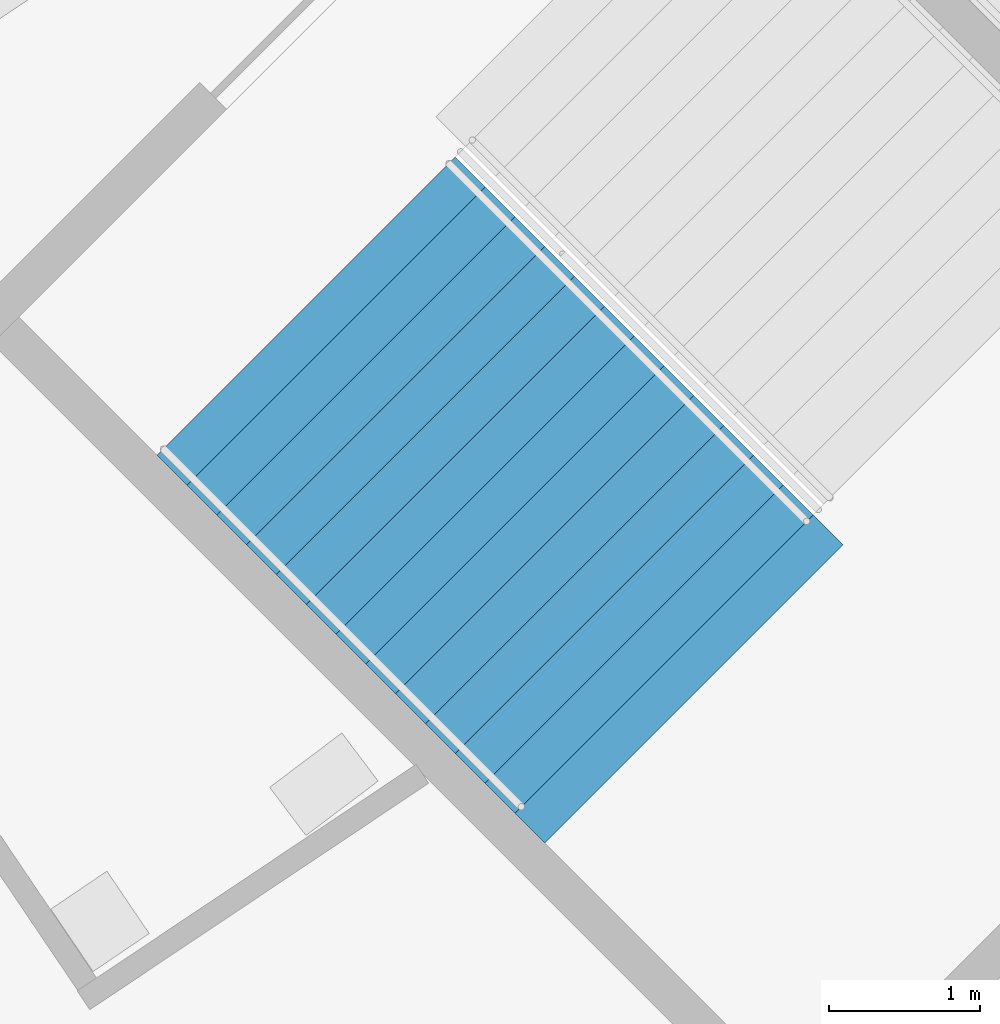
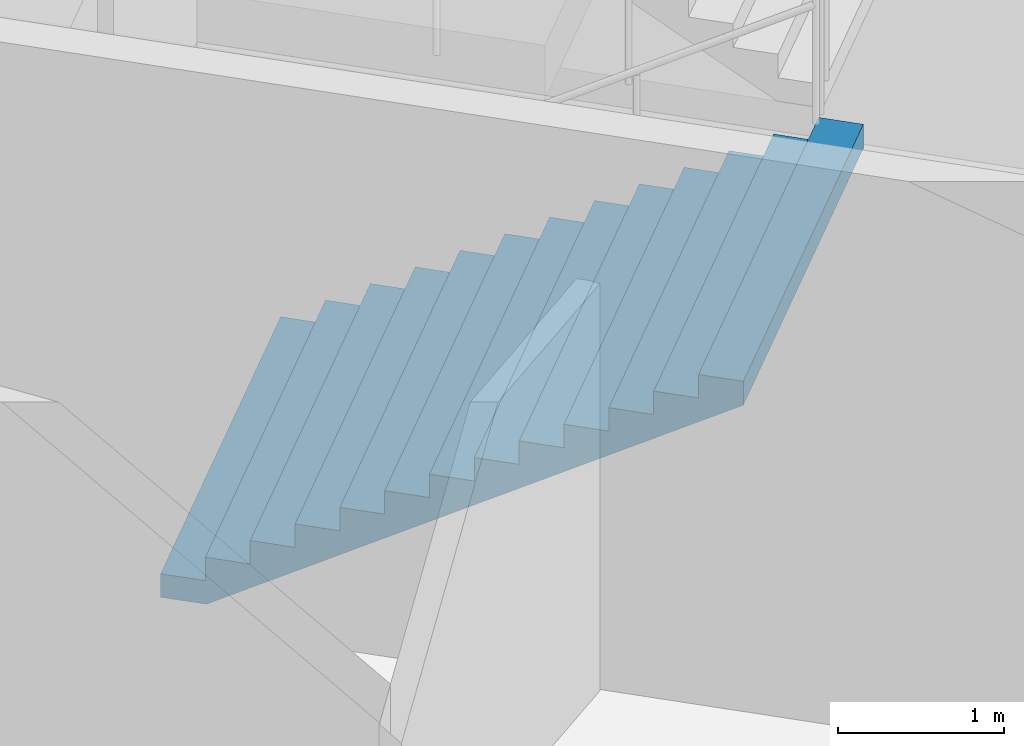
# One storey, part 115 of 177: 1 stair flight, 1 element without a shape of its own.
"""IFC4 building model written with IfcOpenShell, lengths in metres."""

from ifc_helpers import new_model, si_unit, direction, frame, origin, place, context, subcontext, project, spatial, faceted_brep, material, type_object, element, aggregate, save


model = new_model("IFC4")

# Units and contexts
model_context = context("Model", 3, precision=1e-05, world=origin(), true_north=direction((0.0, 1.0)))
body_context = subcontext(model_context, "Body", "Model", "MODEL_VIEW")
ifc_project = project(units=[si_unit("LENGTHUNIT", "METRE"), si_unit("AREAUNIT", "SQUARE_METRE"), si_unit("VOLUMEUNIT", "CUBIC_METRE"), si_unit("PLANEANGLEUNIT", "RADIAN"), si_unit("MASSUNIT", "GRAM", prefix="KILO")], contexts=[model_context])

# Site, building, storey
site_placement = place(None, origin())
site = spatial("IfcSite", under=ifc_project, at=site_placement, CompositionType="ELEMENT")
building_placement = place(site_placement, origin())
building = spatial("IfcBuilding", under=site, at=building_placement, Name="Ogive Plaza Stadium", CompositionType="ELEMENT")
storey_placement = place(building_placement, frame((0.0, 0.0, 18.0)))
storey = spatial("IfcBuildingStorey", under=building, at=storey_placement, Name="L04", CompositionType="ELEMENT", Elevation=18.0)

# Stair, stair flight
ifc_material_1 = material(Name="Concrete C40/50", Category="concrete")
stair_type = type_object("IfcStairType", Name="Exit stair", PredefinedType="STRAIGHT_RUN_STAIR", material=ifc_material_1)
stair_placement = place(storey_placement, origin())
stair = element("IfcStair", 1, at=stair_placement, inside=storey, type_object=stair_type, Name="Exit stair ST10A L04 to L05", PredefinedType="STRAIGHT_RUN_STAIR")
ifc_material_2 = material(Name="Concrete C40/50", Category="concrete")
stair_flight_type = type_object("IfcStairFlightType", Name="Exit stair flight", PredefinedType="STRAIGHT", material=ifc_material_2)
stair_flight_placement = place(storey_placement, frame((60.817138671875, -85.574951171875, 0.0), z_axis=(0.0, 0.0, 1.0), x_axis=(0.707106781187, -0.707106781187, 0.0)))
stair_flight = element("IfcStairFlight", 2, at=stair_flight_placement, type_object=stair_flight_type, Name="ST10A flight 1", NumberOfRisers=13, NumberOfTreads=12, PredefinedType="STRAIGHT", RiserHeight=0.173076923, TreadLength=0.28, context=body_context, shape_type="Brep", body=[
    faceted_brep([(0.28515625, -1.39990234375, 0.0), (3.639892578125, -1.39990234375, 2.07373046875), (3.639892578125, -1.39990234375, 2.25), (3.360107421875, -1.39990234375, 2.25), (3.360107421875, -1.39990234375, 2.076904296875), (3.080078125, -1.39990234375, 2.076904296875), (3.080078125, -1.39990234375, 1.90380859375), (2.800048828125, -1.39990234375, 1.90380859375), (2.800048828125, -1.39990234375, 1.730712890625), (2.52001953125, -1.39990234375, 1.730712890625), (2.52001953125, -1.39990234375, 1.5576171875), (2.239990234375, -1.39990234375, 1.5576171875), (2.239990234375, -1.39990234375, 1.384521484375), (1.9599609375, -1.39990234375, 1.384521484375), (1.9599609375, -1.39990234375, 1.21142578125), (1.679931640625, -1.39990234375, 1.21142578125), (1.679931640625, -1.39990234375, 1.03857421875), (1.39990234375, -1.39990234375, 1.03857421875), (1.39990234375, -1.39990234375, 0.865478515625), (1.1201171875, -1.39990234375, 0.865478515625), (1.1201171875, -1.39990234375, 0.6923828125), (0.840087890625, -1.39990234375, 0.6923828125), (0.840087890625, -1.39990234375, 0.519287109375), (0.56005859375, -1.39990234375, 0.519287109375), (0.56005859375, -1.39990234375, 0.34619140625), (0.280029296875, -1.39990234375, 0.34619140625), (0.280029296875, -1.39990234375, 0.173095703125), (0.0, -1.39990234375, 0.173095703125), (0.0, -1.39990234375, 0.0), (0.0, 1.39990234375, 0.0), (0.0, 1.39990234375, 0.173095703125), (0.280029296875, 1.39990234375, 0.173095703125), (0.280029296875, 1.39990234375, 0.34619140625), (0.56005859375, 1.39990234375, 0.34619140625), (0.56005859375, 1.39990234375, 0.519287109375), (0.840087890625, 1.39990234375, 0.519287109375), (0.840087890625, 1.39990234375, 0.6923828125), (1.1201171875, 1.39990234375, 0.6923828125), (1.1201171875, 1.39990234375, 0.865478515625), (1.39990234375, 1.39990234375, 0.865478515625), (1.39990234375, 1.39990234375, 1.03857421875), (1.679931640625, 1.39990234375, 1.03857421875), (1.679931640625, 1.39990234375, 1.21142578125), (1.9599609375, 1.39990234375, 1.21142578125), (1.9599609375, 1.39990234375, 1.384521484375), (2.239990234375, 1.39990234375, 1.384521484375), (2.239990234375, 1.39990234375, 1.5576171875), (2.52001953125, 1.39990234375, 1.5576171875), (2.52001953125, 1.39990234375, 1.730712890625), (2.800048828125, 1.39990234375, 1.730712890625), (2.800048828125, 1.39990234375, 1.90380859375), (3.080078125, 1.39990234375, 1.90380859375), (3.080078125, 1.39990234375, 2.076904296875), (3.360107421875, 1.39990234375, 2.076904296875), (3.360107421875, 1.39990234375, 2.25), (3.639892578125, 1.39990234375, 2.25), (3.639892578125, 1.39990234375, 2.07373046875), (0.28515625, 1.39990234375, 0.0), (0.28515625, -1.0888671875, 0.0), (3.639892578125, -1.0888671875, 2.07373046875), (0.28515625, -0.77783203125, 0.0), (3.639892578125, -0.77783203125, 2.07373046875), (0.28515625, -0.466796875, 0.0), (3.639892578125, -0.466796875, 2.07373046875), (0.28515625, -0.155517578125, 0.0), (3.639892578125, -0.155517578125, 2.07373046875), (0.28515625, 0.155517578125, 0.0), (3.639892578125, 0.155517578125, 2.07373046875), (0.28515625, 0.466796875, 0.0), (3.639892578125, 0.466796875, 2.07373046875), (0.28515625, 0.77783203125, 0.0), (3.639892578125, 0.77783203125, 2.07373046875), (0.28515625, 1.0888671875, 0.0), (3.639892578125, 1.0888671875, 2.07373046875), (3.639892578125, -1.0888671875, 2.25), (3.639892578125, -0.77783203125, 2.25), (3.639892578125, -0.466796875, 2.25), (3.639892578125, -0.155517578125, 2.25), (3.639892578125, 0.155517578125, 2.25), (3.639892578125, 0.466796875, 2.25), (3.639892578125, 0.77783203125, 2.25), (3.639892578125, 1.0888671875, 2.25), (3.360107421875, -1.0888671875, 2.25), (3.360107421875, -0.77783203125, 2.25), (3.360107421875, -0.466796875, 2.25), (3.360107421875, -0.155517578125, 2.25), (3.360107421875, 0.155517578125, 2.25), (3.360107421875, 0.466796875, 2.25), (3.360107421875, 0.77783203125, 2.25), (3.360107421875, 1.0888671875, 2.25), (3.360107421875, -1.0888671875, 2.076904296875), (3.360107421875, -0.77783203125, 2.076904296875), (3.360107421875, -0.466796875, 2.076904296875), (3.360107421875, -0.155517578125, 2.076904296875), (3.360107421875, 0.155517578125, 2.076904296875), (3.360107421875, 0.466796875, 2.076904296875), (3.360107421875, 0.77783203125, 2.076904296875), (3.360107421875, 1.0888671875, 2.076904296875), (3.080078125, -1.0888671875, 2.076904296875), (3.080078125, -0.77783203125, 2.076904296875), (3.080078125, -0.466796875, 2.076904296875), (3.080078125, -0.155517578125, 2.076904296875), (3.080078125, 0.155517578125, 2.076904296875), (3.080078125, 0.466796875, 2.076904296875), (3.080078125, 0.77783203125, 2.076904296875), (3.080078125, 1.0888671875, 2.076904296875), (3.080078125, -1.0888671875, 1.90380859375), (3.080078125, -0.77783203125, 1.90380859375), (3.080078125, -0.466796875, 1.90380859375), (3.080078125, -0.155517578125, 1.90380859375), (3.080078125, 0.155517578125, 1.90380859375), (3.080078125, 0.466796875, 1.90380859375), (3.080078125, 0.77783203125, 1.90380859375), (3.080078125, 1.0888671875, 1.90380859375), (2.800048828125, -1.0888671875, 1.90380859375), (2.800048828125, -0.77783203125, 1.90380859375), (2.800048828125, -0.466796875, 1.90380859375), (2.800048828125, -0.155517578125, 1.90380859375), (2.800048828125, 0.155517578125, 1.90380859375), (2.800048828125, 0.466796875, 1.90380859375), (2.800048828125, 0.77783203125, 1.90380859375), (2.800048828125, 1.0888671875, 1.90380859375), (2.800048828125, -1.0888671875, 1.730712890625), (2.800048828125, -0.77783203125, 1.730712890625), (2.800048828125, -0.466796875, 1.730712890625), (2.800048828125, -0.155517578125, 1.730712890625), (2.800048828125, 0.155517578125, 1.730712890625), (2.800048828125, 0.466796875, 1.730712890625), (2.800048828125, 0.77783203125, 1.730712890625), (2.800048828125, 1.0888671875, 1.730712890625), (2.52001953125, -1.0888671875, 1.730712890625), (2.52001953125, -0.77783203125, 1.730712890625), (2.52001953125, -0.466796875, 1.730712890625), (2.52001953125, -0.155517578125, 1.730712890625), (2.52001953125, 0.155517578125, 1.730712890625), (2.52001953125, 0.466796875, 1.730712890625), (2.52001953125, 0.77783203125, 1.730712890625), (2.52001953125, 1.0888671875, 1.730712890625), (2.52001953125, -1.0888671875, 1.5576171875), (2.52001953125, -0.77783203125, 1.5576171875), (2.52001953125, -0.466796875, 1.5576171875), (2.52001953125, -0.155517578125, 1.5576171875), (2.52001953125, 0.155517578125, 1.5576171875), (2.52001953125, 0.466796875, 1.5576171875), (2.52001953125, 0.77783203125, 1.5576171875), (2.52001953125, 1.0888671875, 1.5576171875), (2.239990234375, -1.0888671875, 1.5576171875), (2.239990234375, -0.77783203125, 1.5576171875), (2.239990234375, -0.466796875, 1.5576171875), (2.239990234375, -0.155517578125, 1.5576171875), (2.239990234375, 0.155517578125, 1.5576171875), (2.239990234375, 0.466796875, 1.5576171875), (2.239990234375, 0.77783203125, 1.5576171875), (2.239990234375, 1.0888671875, 1.5576171875), (2.239990234375, -1.0888671875, 1.384521484375), (2.239990234375, -0.77783203125, 1.384521484375), (2.239990234375, -0.466796875, 1.384521484375), (2.239990234375, -0.155517578125, 1.384521484375), (2.239990234375, 0.155517578125, 1.384521484375), (2.239990234375, 0.466796875, 1.384521484375), (2.239990234375, 0.77783203125, 1.384521484375), (2.239990234375, 1.0888671875, 1.384521484375), (1.9599609375, -1.0888671875, 1.384521484375), (1.9599609375, -0.77783203125, 1.384521484375), (1.9599609375, -0.466796875, 1.384521484375), (1.9599609375, -0.155517578125, 1.384521484375), (1.9599609375, 0.155517578125, 1.384521484375), (1.9599609375, 0.466796875, 1.384521484375), (1.9599609375, 0.77783203125, 1.384521484375), (1.9599609375, 1.0888671875, 1.384521484375), (1.9599609375, -1.0888671875, 1.21142578125), (1.9599609375, -0.77783203125, 1.21142578125), (1.9599609375, -0.466796875, 1.21142578125), (1.9599609375, -0.155517578125, 1.21142578125), (1.9599609375, 0.155517578125, 1.21142578125), (1.9599609375, 0.466796875, 1.21142578125), (1.9599609375, 0.77783203125, 1.21142578125), (1.9599609375, 1.0888671875, 1.21142578125), (1.679931640625, -1.0888671875, 1.21142578125), (1.679931640625, -0.77783203125, 1.21142578125), (1.679931640625, -0.466796875, 1.21142578125), (1.679931640625, -0.155517578125, 1.21142578125), (1.679931640625, 0.155517578125, 1.21142578125), (1.679931640625, 0.466796875, 1.21142578125), (1.679931640625, 0.77783203125, 1.21142578125), (1.679931640625, 1.0888671875, 1.21142578125), (1.679931640625, -1.0888671875, 1.03857421875), (1.679931640625, -0.77783203125, 1.03857421875), (1.679931640625, -0.466796875, 1.03857421875), (1.679931640625, -0.155517578125, 1.03857421875), (1.679931640625, 0.155517578125, 1.03857421875), (1.679931640625, 0.466796875, 1.03857421875), (1.679931640625, 0.77783203125, 1.03857421875), (1.679931640625, 1.0888671875, 1.03857421875), (1.39990234375, -1.0888671875, 1.03857421875), (1.39990234375, -0.77783203125, 1.03857421875), (1.39990234375, -0.466796875, 1.03857421875), (1.39990234375, -0.155517578125, 1.03857421875), (1.39990234375, 0.155517578125, 1.03857421875), (1.39990234375, 0.466796875, 1.03857421875), (1.39990234375, 0.77783203125, 1.03857421875), (1.39990234375, 1.0888671875, 1.03857421875), (1.39990234375, -1.0888671875, 0.865478515625), (1.39990234375, -0.77783203125, 0.865478515625), (1.39990234375, -0.466796875, 0.865478515625), (1.39990234375, -0.155517578125, 0.865478515625), (1.39990234375, 0.155517578125, 0.865478515625), (1.39990234375, 0.466796875, 0.865478515625), (1.39990234375, 0.77783203125, 0.865478515625), (1.39990234375, 1.0888671875, 0.865478515625), (1.1201171875, -1.0888671875, 0.865478515625), (1.1201171875, -0.77783203125, 0.865478515625), (1.1201171875, -0.466796875, 0.865478515625), (1.1201171875, -0.155517578125, 0.865478515625), (1.1201171875, 0.155517578125, 0.865478515625), (1.1201171875, 0.466796875, 0.865478515625), (1.1201171875, 0.77783203125, 0.865478515625), (1.1201171875, 1.0888671875, 0.865478515625), (1.1201171875, -1.0888671875, 0.6923828125), (1.1201171875, -0.77783203125, 0.6923828125), (1.1201171875, -0.466796875, 0.6923828125), (1.1201171875, -0.155517578125, 0.6923828125), (1.1201171875, 0.155517578125, 0.6923828125), (1.1201171875, 0.466796875, 0.6923828125), (1.1201171875, 0.77783203125, 0.6923828125), (1.1201171875, 1.0888671875, 0.6923828125), (0.840087890625, -1.0888671875, 0.6923828125), (0.840087890625, -0.77783203125, 0.6923828125), (0.840087890625, -0.466796875, 0.6923828125), (0.840087890625, -0.155517578125, 0.6923828125), (0.840087890625, 0.155517578125, 0.6923828125), (0.840087890625, 0.466796875, 0.6923828125), (0.840087890625, 0.77783203125, 0.6923828125), (0.840087890625, 1.0888671875, 0.6923828125), (0.840087890625, -1.0888671875, 0.519287109375), (0.840087890625, -0.77783203125, 0.519287109375), (0.840087890625, -0.466796875, 0.519287109375), (0.840087890625, -0.155517578125, 0.519287109375), (0.840087890625, 0.155517578125, 0.519287109375), (0.840087890625, 0.466796875, 0.519287109375), (0.840087890625, 0.77783203125, 0.519287109375), (0.840087890625, 1.0888671875, 0.519287109375), (0.56005859375, -1.0888671875, 0.519287109375), (0.56005859375, -0.77783203125, 0.519287109375), (0.56005859375, -0.466796875, 0.519287109375), (0.56005859375, -0.155517578125, 0.519287109375), (0.56005859375, 0.155517578125, 0.519287109375), (0.56005859375, 0.466796875, 0.519287109375), (0.56005859375, 0.77783203125, 0.519287109375), (0.56005859375, 1.0888671875, 0.519287109375), (0.56005859375, -1.0888671875, 0.34619140625), (0.56005859375, -0.77783203125, 0.34619140625), (0.56005859375, -0.466796875, 0.34619140625), (0.56005859375, -0.155517578125, 0.34619140625), (0.56005859375, 0.155517578125, 0.34619140625), (0.56005859375, 0.466796875, 0.34619140625), (0.56005859375, 0.77783203125, 0.34619140625), (0.56005859375, 1.0888671875, 0.34619140625), (0.280029296875, -1.0888671875, 0.34619140625), (0.280029296875, -0.77783203125, 0.34619140625), (0.280029296875, -0.466796875, 0.34619140625), (0.280029296875, -0.155517578125, 0.34619140625), (0.280029296875, 0.155517578125, 0.34619140625), (0.280029296875, 0.466796875, 0.34619140625), (0.280029296875, 0.77783203125, 0.34619140625), (0.280029296875, 1.0888671875, 0.34619140625), (0.280029296875, -1.0888671875, 0.173095703125), (0.280029296875, -0.77783203125, 0.173095703125), (0.280029296875, -0.466796875, 0.173095703125), (0.280029296875, -0.155517578125, 0.173095703125), (0.280029296875, 0.155517578125, 0.173095703125), (0.280029296875, 0.466796875, 0.173095703125), (0.280029296875, 0.77783203125, 0.173095703125), (0.280029296875, 1.0888671875, 0.173095703125), (0.0, -1.0888671875, 0.173095703125), (0.0, -0.77783203125, 0.173095703125), (0.0, -0.466796875, 0.173095703125), (0.0, -0.155517578125, 0.173095703125), (0.0, 0.155517578125, 0.173095703125), (0.0, 0.466796875, 0.173095703125), (0.0, 0.77783203125, 0.173095703125), (0.0, 1.0888671875, 0.173095703125), (0.0, -1.0888671875, 0.0), (0.0, -0.77783203125, 0.0), (0.0, -0.466796875, 0.0), (0.0, -0.155517578125, 0.0), (0.0, 0.155517578125, 0.0), (0.0, 0.466796875, 0.0), (0.0, 0.77783203125, 0.0), (0.0, 1.0888671875, 0.0)], [[[0, 1, 2, 3, 4, 5, 6, 7, 8, 9, 10, 11, 12, 13, 14, 15, 16, 17, 18, 19, 20, 21, 22, 23, 24, 25, 26, 27, 28]], [[29, 30, 31, 32, 33, 34, 35, 36, 37, 38, 39, 40, 41, 42, 43, 44, 45, 46, 47, 48, 49, 50, 51, 52, 53, 54, 55, 56, 57]], [[0, 58, 59, 1]], [[58, 60, 61, 59]], [[60, 62, 63, 61]], [[62, 64, 65, 63]], [[64, 66, 67, 65]], [[66, 68, 69, 67]], [[68, 70, 71, 69]], [[70, 72, 73, 71]], [[72, 57, 56, 73]], [[1, 59, 74, 2]], [[59, 61, 75, 74]], [[61, 63, 76, 75]], [[63, 65, 77, 76]], [[65, 67, 78, 77]], [[67, 69, 79, 78]], [[69, 71, 80, 79]], [[71, 73, 81, 80]], [[73, 56, 55, 81]], [[2, 74, 82, 3]], [[74, 75, 83, 82]], [[75, 76, 84, 83]], [[76, 77, 85, 84]], [[77, 78, 86, 85]], [[78, 79, 87, 86]], [[79, 80, 88, 87]], [[80, 81, 89, 88]], [[81, 55, 54, 89]], [[3, 82, 90, 4]], [[82, 83, 91, 90]], [[83, 84, 92, 91]], [[84, 85, 93, 92]], [[85, 86, 94, 93]], [[86, 87, 95, 94]], [[87, 88, 96, 95]], [[88, 89, 97, 96]], [[89, 54, 53, 97]], [[4, 90, 98, 5]], [[90, 91, 99, 98]], [[91, 92, 100, 99]], [[92, 93, 101, 100]], [[93, 94, 102, 101]], [[94, 95, 103, 102]], [[95, 96, 104, 103]], [[96, 97, 105, 104]], [[97, 53, 52, 105]], [[5, 98, 106, 6]], [[98, 99, 107, 106]], [[99, 100, 108, 107]], [[100, 101, 109, 108]], [[101, 102, 110, 109]], [[102, 103, 111, 110]], [[103, 104, 112, 111]], [[104, 105, 113, 112]], [[105, 52, 51, 113]], [[6, 106, 114, 7]], [[106, 107, 115, 114]], [[107, 108, 116, 115]], [[108, 109, 117, 116]], [[109, 110, 118, 117]], [[110, 111, 119, 118]], [[111, 112, 120, 119]], [[112, 113, 121, 120]], [[113, 51, 50, 121]], [[7, 114, 122, 8]], [[114, 115, 123, 122]], [[115, 116, 124, 123]], [[116, 117, 125, 124]], [[117, 118, 126, 125]], [[118, 119, 127, 126]], [[119, 120, 128, 127]], [[120, 121, 129, 128]], [[121, 50, 49, 129]], [[8, 122, 130, 9]], [[122, 123, 131, 130]], [[123, 124, 132, 131]], [[124, 125, 133, 132]], [[125, 126, 134, 133]], [[126, 127, 135, 134]], [[127, 128, 136, 135]], [[128, 129, 137, 136]], [[129, 49, 48, 137]], [[9, 130, 138, 10]], [[130, 131, 139, 138]], [[131, 132, 140, 139]], [[132, 133, 141, 140]], [[133, 134, 142, 141]], [[134, 135, 143, 142]], [[135, 136, 144, 143]], [[136, 137, 145, 144]], [[137, 48, 47, 145]], [[10, 138, 146, 11]], [[138, 139, 147, 146]], [[139, 140, 148, 147]], [[140, 141, 149, 148]], [[141, 142, 150, 149]], [[142, 143, 151, 150]], [[143, 144, 152, 151]], [[144, 145, 153, 152]], [[145, 47, 46, 153]], [[11, 146, 154, 12]], [[146, 147, 155, 154]], [[147, 148, 156, 155]], [[148, 149, 157, 156]], [[149, 150, 158, 157]], [[150, 151, 159, 158]], [[151, 152, 160, 159]], [[152, 153, 161, 160]], [[153, 46, 45, 161]], [[12, 154, 162, 13]], [[154, 155, 163, 162]], [[155, 156, 164, 163]], [[156, 157, 165, 164]], [[157, 158, 166, 165]], [[158, 159, 167, 166]], [[159, 160, 168, 167]], [[160, 161, 169, 168]], [[161, 45, 44, 169]], [[13, 162, 170, 14]], [[162, 163, 171, 170]], [[163, 164, 172, 171]], [[164, 165, 173, 172]], [[165, 166, 174, 173]], [[166, 167, 175, 174]], [[167, 168, 176, 175]], [[168, 169, 177, 176]], [[169, 44, 43, 177]], [[14, 170, 178, 15]], [[170, 171, 179, 178]], [[171, 172, 180, 179]], [[172, 173, 181, 180]], [[173, 174, 182, 181]], [[174, 175, 183, 182]], [[175, 176, 184, 183]], [[176, 177, 185, 184]], [[177, 43, 42, 185]], [[15, 178, 186, 16]], [[178, 179, 187, 186]], [[179, 180, 188, 187]], [[180, 181, 189, 188]], [[181, 182, 190, 189]], [[182, 183, 191, 190]], [[183, 184, 192, 191]], [[184, 185, 193, 192]], [[185, 42, 41, 193]], [[16, 186, 194, 17]], [[186, 187, 195, 194]], [[187, 188, 196, 195]], [[188, 189, 197, 196]], [[189, 190, 198, 197]], [[190, 191, 199, 198]], [[191, 192, 200, 199]], [[192, 193, 201, 200]], [[193, 41, 40, 201]], [[17, 194, 202, 18]], [[194, 195, 203, 202]], [[195, 196, 204, 203]], [[196, 197, 205, 204]], [[197, 198, 206, 205]], [[198, 199, 207, 206]], [[199, 200, 208, 207]], [[200, 201, 209, 208]], [[201, 40, 39, 209]], [[18, 202, 210, 19]], [[202, 203, 211, 210]], [[203, 204, 212, 211]], [[204, 205, 213, 212]], [[205, 206, 214, 213]], [[206, 207, 215, 214]], [[207, 208, 216, 215]], [[208, 209, 217, 216]], [[209, 39, 38, 217]], [[19, 210, 218, 20]], [[210, 211, 219, 218]], [[211, 212, 220, 219]], [[212, 213, 221, 220]], [[213, 214, 222, 221]], [[214, 215, 223, 222]], [[215, 216, 224, 223]], [[216, 217, 225, 224]], [[217, 38, 37, 225]], [[20, 218, 226, 21]], [[218, 219, 227, 226]], [[219, 220, 228, 227]], [[220, 221, 229, 228]], [[221, 222, 230, 229]], [[222, 223, 231, 230]], [[223, 224, 232, 231]], [[224, 225, 233, 232]], [[225, 37, 36, 233]], [[21, 226, 234, 22]], [[226, 227, 235, 234]], [[227, 228, 236, 235]], [[228, 229, 237, 236]], [[229, 230, 238, 237]], [[230, 231, 239, 238]], [[231, 232, 240, 239]], [[232, 233, 241, 240]], [[233, 36, 35, 241]], [[22, 234, 242, 23]], [[234, 235, 243, 242]], [[235, 236, 244, 243]], [[236, 237, 245, 244]], [[237, 238, 246, 245]], [[238, 239, 247, 246]], [[239, 240, 248, 247]], [[240, 241, 249, 248]], [[241, 35, 34, 249]], [[23, 242, 250, 24]], [[242, 243, 251, 250]], [[243, 244, 252, 251]], [[244, 245, 253, 252]], [[245, 246, 254, 253]], [[246, 247, 255, 254]], [[247, 248, 256, 255]], [[248, 249, 257, 256]], [[249, 34, 33, 257]], [[24, 250, 258, 25]], [[250, 251, 259, 258]], [[251, 252, 260, 259]], [[252, 253, 261, 260]], [[253, 254, 262, 261]], [[254, 255, 263, 262]], [[255, 256, 264, 263]], [[256, 257, 265, 264]], [[257, 33, 32, 265]], [[25, 258, 266, 26]], [[258, 259, 267, 266]], [[259, 260, 268, 267]], [[260, 261, 269, 268]], [[261, 262, 270, 269]], [[262, 263, 271, 270]], [[263, 264, 272, 271]], [[264, 265, 273, 272]], [[265, 32, 31, 273]], [[26, 266, 274, 27]], [[266, 267, 275, 274]], [[267, 268, 276, 275]], [[268, 269, 277, 276]], [[269, 270, 278, 277]], [[270, 271, 279, 278]], [[271, 272, 280, 279]], [[272, 273, 281, 280]], [[273, 31, 30, 281]], [[27, 274, 282, 28]], [[274, 275, 283, 282]], [[275, 276, 284, 283]], [[276, 277, 285, 284]], [[277, 278, 286, 285]], [[278, 279, 287, 286]], [[279, 280, 288, 287]], [[280, 281, 289, 288]], [[281, 30, 29, 289]], [[28, 282, 58, 0]], [[282, 283, 60, 58]], [[283, 284, 62, 60]], [[284, 285, 64, 62]], [[285, 286, 66, 64]], [[286, 287, 68, 66]], [[287, 288, 70, 68]], [[288, 289, 72, 70]], [[289, 29, 57, 72]]]),
])
aggregate(stair, [stair_flight])

save(model, "model.ifc")
